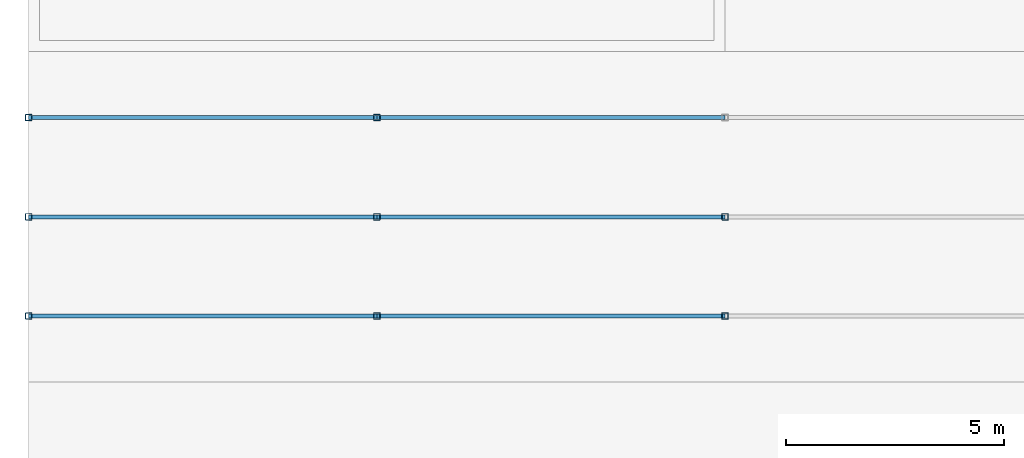
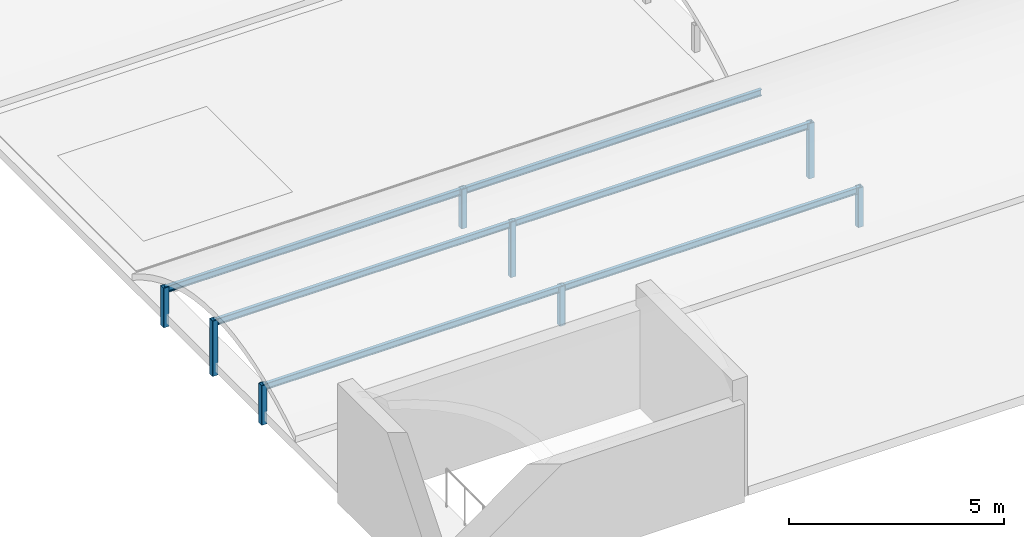
# One storey, part 1 of 8: 14 members.
"""IFC4 building model written with IfcOpenShell, lengths in metres."""

from ifc_helpers import new_model, si_unit, direction, frame, origin, origin_2d, place, context, subcontext, project, spatial, hollow_rectangle, i_section, extrude, material, material_profile, profile_set, type_object, element, save


model = new_model("IFC4")

# Units and contexts
model_context = context("Model", 3, precision=1e-05, world=origin(), true_north=direction((0.0, 1.0)))
body_context = subcontext(model_context, "Body", "Model", "MODEL_VIEW")
ifc_project = project(units=[si_unit("LENGTHUNIT", "METRE"), si_unit("AREAUNIT", "SQUARE_METRE"), si_unit("VOLUMEUNIT", "CUBIC_METRE"), si_unit("PLANEANGLEUNIT", "RADIAN"), si_unit("MASSUNIT", "GRAM", prefix="KILO")], contexts=[model_context])

# Site, building, storey
site_placement = place(None, origin())
site = spatial("IfcSite", under=ifc_project, at=site_placement, CompositionType="ELEMENT")
building_placement = place(site_placement, origin())
building = spatial("IfcBuilding", under=site, at=building_placement, Name="Shalkamar Park Central Library", CompositionType="ELEMENT")
storey_placement = place(building_placement, frame((0.0, 0.0, 77.699951171875)))
storey = spatial("IfcBuildingStorey", under=building, at=storey_placement, Name="ROOF", CompositionType="ELEMENT", Elevation=77.699951171875)

# Members
ifc_material = material(Name="Steel S355", Category="steel")
ifc_material_profile_1 = material_profile(ifc_material, hollow_rectangle(XDim=0.14990234375, YDim=0.14990234375, WallThickness=0.008056640625, InnerFilletRadius=0.008056640625, OuterFilletRadius=0.011962890625, at=origin_2d()), Name="SHS 150x150x8")
ifc_profile_set_1 = profile_set([ifc_material_profile_1], Name="Steel S355")
member_type_1 = type_object("IfcMemberType", Name="Diagonal Brace SHS150", PredefinedType="BRACE", material=ifc_profile_set_1)
member_1_placement = place(storey_placement, frame((165.0, 256.719970703125, -0.35986328125), z_axis=(0.0, 0.0, 1.0), x_axis=(1.0, 0.0, 0.0)))
element("IfcMember", 1, at=member_1_placement, inside=storey, type_object=member_type_1, Name="Vault Arch Post BV-L18-1-07.1", PredefinedType="BRACE", context=body_context, shape_type="SweptSolid", body=[
    extrude(hollow_rectangle(XDim=0.14990234375, YDim=0.14990234375, WallThickness=0.008056640625, InnerFilletRadius=0.008056640625, OuterFilletRadius=0.011962890625, at=origin_2d()), origin(), (0.0, 0.0, 1.0), 1.119873046875),
])
member_2_placement = place(storey_placement, frame((165.0, 259.0, -0.35986328125), z_axis=(0.0, 0.0, 1.0), x_axis=(1.0, 0.0, 0.0)))
element("IfcMember", 2, at=member_2_placement, inside=storey, type_object=member_type_1, Name="Vault Arch Post BV-L18-1-07.2", PredefinedType="BRACE", context=body_context, shape_type="SweptSolid", body=[
    extrude(hollow_rectangle(XDim=0.14990234375, YDim=0.14990234375, WallThickness=0.008056640625, InnerFilletRadius=0.008056640625, OuterFilletRadius=0.011962890625, at=origin_2d()), origin(), (0.0, 0.0, 1.0), 1.56982421875),
])
for number, where, z_axis, x_axis, name in (
    (3, (165.0, 261.280029296875, -0.35986328125), (0.0, 0.0, 1.0), (1.0, 0.0, 0.0), "Vault Arch Post BV-L18-1-07.3"),
    (4, (173.0, 256.719970703125, -0.35986328125), (0.0, 0.0, 1.0), (1.0, 0.0, 0.0), "Vault Arch Post BV-L18-1-08.1"),
):
    element("IfcMember", number, at=place(storey_placement, frame(where, z_axis=z_axis, x_axis=x_axis)), inside=storey, type_object=member_type_1, Name=name, PredefinedType="BRACE", context=body_context, shape_type="SweptSolid", body=[
        extrude(hollow_rectangle(XDim=0.14990234375, YDim=0.14990234375, WallThickness=0.008056640625, InnerFilletRadius=0.008056640625, OuterFilletRadius=0.011962890625, at=origin_2d()), origin(), (0.0, 0.0, 1.0), 1.119873046875),
    ])
member_3_placement = place(storey_placement, frame((173.0, 259.0, -0.35986328125), z_axis=(0.0, 0.0, 1.0), x_axis=(1.0, 0.0, 0.0)))
element("IfcMember", 5, at=member_3_placement, inside=storey, type_object=member_type_1, Name="Vault Arch Post BV-L18-1-08.2", PredefinedType="BRACE", context=body_context, shape_type="SweptSolid", body=[
    extrude(hollow_rectangle(XDim=0.14990234375, YDim=0.14990234375, WallThickness=0.008056640625, InnerFilletRadius=0.008056640625, OuterFilletRadius=0.011962890625, at=origin_2d()), origin(), (0.0, 0.0, 1.0), 1.56982421875),
])
for number, where, z_axis, x_axis, name in (
    (6, (173.0, 261.280029296875, -0.35986328125), (0.0, 0.0, 1.0), (1.0, 0.0, 0.0), "Vault Arch Post BV-L18-1-08.3"),
    (7, (181.0, 256.719970703125, -0.35986328125), (0.0, 0.0, 1.0), (1.0, 0.0, 0.0), "Vault Arch Post BV-L18-1-09.1"),
):
    element("IfcMember", number, at=place(storey_placement, frame(where, z_axis=z_axis, x_axis=x_axis)), inside=storey, type_object=member_type_1, Name=name, PredefinedType="BRACE", context=body_context, shape_type="SweptSolid", body=[
        extrude(hollow_rectangle(XDim=0.14990234375, YDim=0.14990234375, WallThickness=0.008056640625, InnerFilletRadius=0.008056640625, OuterFilletRadius=0.011962890625, at=origin_2d()), origin(), (0.0, 0.0, 1.0), 1.119873046875),
    ])
member_4_placement = place(storey_placement, frame((181.0, 259.0, -0.35986328125), z_axis=(0.0, 0.0, 1.0), x_axis=(1.0, 0.0, 0.0)))
element("IfcMember", 8, at=member_4_placement, inside=storey, type_object=member_type_1, Name="Vault Arch Post BV-L18-1-09.2", PredefinedType="BRACE", context=body_context, shape_type="SweptSolid", body=[
    extrude(hollow_rectangle(XDim=0.14990234375, YDim=0.14990234375, WallThickness=0.008056640625, InnerFilletRadius=0.008056640625, OuterFilletRadius=0.011962890625, at=origin_2d()), origin(), (0.0, 0.0, 1.0), 1.56982421875),
])
ifc_material_profile_2 = material_profile(ifc_material, i_section(OverallWidth=0.091064453125, OverallDepth=0.179931640625, WebThickness=0.00537109375, FlangeThickness=0.008056640625, FilletRadius=0.009033203125, at=origin_2d()), Name="IPE 180")
ifc_profile_set_2 = profile_set([ifc_material_profile_2], Name="Steel S355")
member_type_2 = type_object("IfcMemberType", Name="Roof Purlin IPE180", PredefinedType="PURLIN", material=ifc_profile_set_2)
for number, where, z_axis, x_axis, name in (
    (9, (165.0, 256.719970703125, 0.670166015625), (1.0, 0.0, 0.0), (0.0, 1.0, 0.0), "Barrel Roof Purlin BV-L18-1-1.07"),
    (10, (173.0, 256.719970703125, 0.670166015625), (1.0, 0.0, 0.0), (0.0, 1.0, 0.0), "Barrel Roof Purlin BV-L18-1-1.08"),
    (11, (165.0, 259.0, 1.1201171875), (1.0, 0.0, 0.0), (0.0, 1.0, 0.0), "Barrel Roof Purlin BV-L18-1-2.07"),
    (12, (173.0, 259.0, 1.1201171875), (1.0, 0.0, 0.0), (0.0, 1.0, 0.0), "Barrel Roof Purlin BV-L18-1-2.08"),
    (13, (165.0, 261.280029296875, 0.670166015625), (1.0, 0.0, 0.0), (0.0, 1.0, 0.0), "Barrel Roof Purlin BV-L18-1-3.07"),
    (14, (173.0, 261.280029296875, 0.670166015625), (1.0, 0.0, 0.0), (0.0, 1.0, 0.0), "Barrel Roof Purlin BV-L18-1-3.08"),
):
    element("IfcMember", number, at=place(storey_placement, frame(where, z_axis=z_axis, x_axis=x_axis)), inside=storey, type_object=member_type_2, Name=name, PredefinedType="PURLIN", context=body_context, shape_type="SweptSolid", body=[
        extrude(i_section(OverallWidth=0.091064453125, OverallDepth=0.179931640625, WebThickness=0.00537109375, FlangeThickness=0.008056640625, FilletRadius=0.009033203125, at=origin_2d()), origin(), (0.0, 0.0, 1.0), 8.0),
    ])

save(model, "model.ifc")
